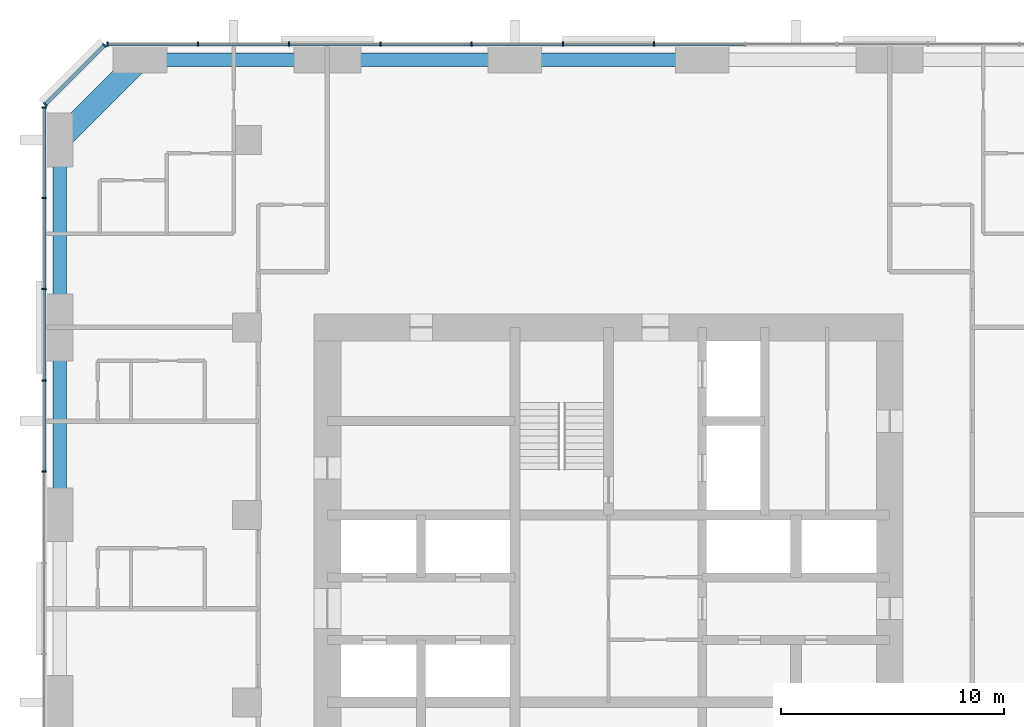
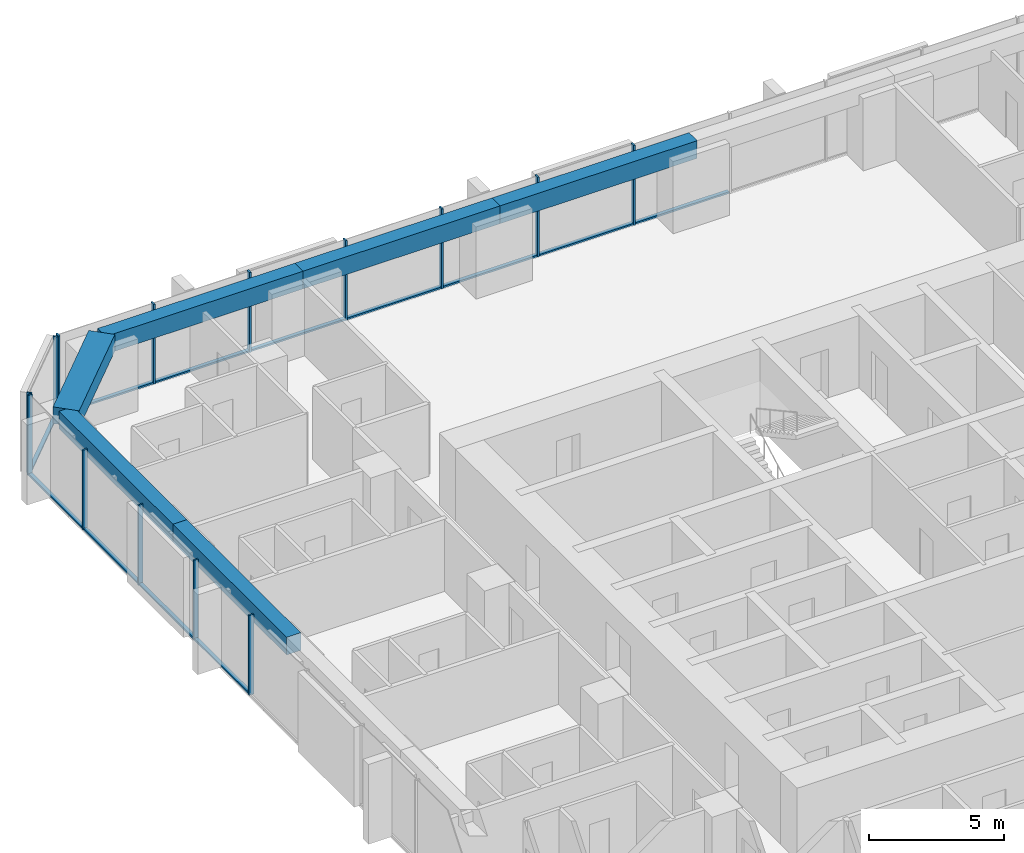
# One storey, part 5 of 14: 26 members, 6 beams, 3 elements without a shape of their own.
"""IFC4 building model written with IfcOpenShell, lengths in metres."""

from ifc_helpers import new_model, si_unit, direction, frame, origin, origin_2d, place, context, subcontext, project, spatial, rectangle, extrude, material, material_profile, profile_set, type_object, element, aggregate, save


model = new_model("IFC4")

# Units and contexts
model_context = context("Model", 3, precision=1e-05, world=origin(), true_north=direction((0.0, 1.0)))
body_context = subcontext(model_context, "Body", "Model", "MODEL_VIEW")
ifc_project = project(units=[si_unit("LENGTHUNIT", "METRE"), si_unit("AREAUNIT", "SQUARE_METRE"), si_unit("VOLUMEUNIT", "CUBIC_METRE"), si_unit("PLANEANGLEUNIT", "RADIAN"), si_unit("MASSUNIT", "GRAM", prefix="KILO")], contexts=[model_context])

# Site, building, storey
site_placement = place(None, origin())
site = spatial("IfcSite", under=ifc_project, at=site_placement, CompositionType="ELEMENT")
building_placement = place(site_placement, origin())
building = spatial("IfcBuilding", under=site, at=building_placement, Name="Dunama Terrace Hotel", CompositionType="ELEMENT")
storey_placement = place(building_placement, frame((0.0, 0.0, 213.0)))
storey = spatial("IfcBuildingStorey", under=building, at=storey_placement, Name="L55", CompositionType="ELEMENT", Elevation=213.0)

# Curtain wall, members
ifc_material_1 = material(Name="Aluminium curtain wall system", Category="aluminium")
curtain_wall_type = type_object("IfcCurtainWallType", Name="Unitised fritted glass wall CW-C", PredefinedType="NOTDEFINED", material=ifc_material_1)
curtain_wall_1_placement = place(storey_placement, origin())
curtain_wall_1 = element("IfcCurtainWall", 1, at=curtain_wall_1_placement, inside=storey, type_object=curtain_wall_type, Name="Unitised fritted glass wall CW-C L55", PredefinedType="NOTDEFINED")
ifc_material_2 = material(Name="Aluminium mullion", Category="aluminium")
ifc_material_profile_1 = material_profile(ifc_material_2, rectangle(XDim=0.070068359375, YDim=0.199951171875, at=origin_2d()), Name="CWC MULLION 70X200")
ifc_profile_set_1 = profile_set([ifc_material_profile_1], Name="Aluminium mullion")
member_type_1 = type_object("IfcMemberType", Name="CWC mullion 70x200", PredefinedType="MULLION", material=ifc_profile_set_1)
member_1_placement = place(storey_placement, frame((31.445068359375, 54.699951171875, 0.0), z_axis=(0.0, 0.0, 1.0), x_axis=(-1.0, 0.0, 0.0)))
member_1 = element("IfcMember", 2, at=member_1_placement, type_object=member_type_1, Name="CWC mullion", PredefinedType="MULLION", context=body_context, shape_type="SweptSolid", body=[
    extrude(rectangle(XDim=0.070068359375, YDim=0.199951171875, at=origin_2d()), origin(), (0.0, 0.0, 1.0), 3.60009765625),
])
member_2_placement = place(storey_placement, frame((27.35498046875, 54.699951171875, 0.0), z_axis=(0.0, 0.0, 1.0), x_axis=(-1.0, 0.0, 0.0)))
member_2 = element("IfcMember", 3, at=member_2_placement, type_object=member_type_1, Name="CWC mullion", PredefinedType="MULLION", context=body_context, shape_type="SweptSolid", body=[
    extrude(rectangle(XDim=0.070068359375, YDim=0.199951171875, at=origin_2d()), origin(), (0.0, 0.0, 1.0), 3.60009765625),
])
member_3_placement = place(storey_placement, frame((23.263916015625, 54.699951171875, 0.0), z_axis=(0.0, 0.0, 1.0), x_axis=(-1.0, 0.0, 0.0)))
member_3 = element("IfcMember", 4, at=member_3_placement, type_object=member_type_1, Name="CWC mullion", PredefinedType="MULLION", context=body_context, shape_type="SweptSolid", body=[
    extrude(rectangle(XDim=0.070068359375, YDim=0.199951171875, at=origin_2d()), origin(), (0.0, 0.0, 1.0), 3.60009765625),
])
member_4_placement = place(storey_placement, frame((19.173095703125, 54.699951171875, 0.0), z_axis=(0.0, 0.0, 1.0), x_axis=(-1.0, 0.0, 0.0)))
member_4 = element("IfcMember", 5, at=member_4_placement, type_object=member_type_1, Name="CWC mullion", PredefinedType="MULLION", context=body_context, shape_type="SweptSolid", body=[
    extrude(rectangle(XDim=0.070068359375, YDim=0.199951171875, at=origin_2d()), origin(), (0.0, 0.0, 1.0), 3.60009765625),
])
member_5_placement = place(storey_placement, frame((15.08203125, 54.699951171875, 0.0), z_axis=(0.0, 0.0, 1.0), x_axis=(-1.0, 0.0, 0.0)))
member_5 = element("IfcMember", 6, at=member_5_placement, type_object=member_type_1, Name="CWC mullion", PredefinedType="MULLION", context=body_context, shape_type="SweptSolid", body=[
    extrude(rectangle(XDim=0.070068359375, YDim=0.199951171875, at=origin_2d()), origin(), (0.0, 0.0, 1.0), 3.60009765625),
])
member_6_placement = place(storey_placement, frame((10.990966796875, 54.699951171875, 0.0), z_axis=(0.0, 0.0, 1.0), x_axis=(-1.0, 0.0, 0.0)))
member_6 = element("IfcMember", 7, at=member_6_placement, type_object=member_type_1, Name="CWC mullion", PredefinedType="MULLION", context=body_context, shape_type="SweptSolid", body=[
    extrude(rectangle(XDim=0.070068359375, YDim=0.199951171875, at=origin_2d()), origin(), (0.0, 0.0, 1.0), 3.60009765625),
])
member_7_placement = place(storey_placement, frame((6.93505859375, 54.699951171875, 0.0), z_axis=(0.0, 0.0, 1.0), x_axis=(-1.0, 0.0, 0.0)))
member_7 = element("IfcMember", 8, at=member_7_placement, type_object=member_type_1, Name="CWC mullion", PredefinedType="MULLION", context=body_context, shape_type="SweptSolid", body=[
    extrude(rectangle(XDim=0.070068359375, YDim=0.199951171875, at=origin_2d()), origin(), (0.0, 0.0, 1.0), 3.60009765625),
])

curtain_wall_2_placement = place(storey_placement, origin())
curtain_wall_2 = element("IfcCurtainWall", 9, at=curtain_wall_2_placement, inside=storey, type_object=curtain_wall_type, Name="Unitised fritted glass wall CW-C L55", PredefinedType="NOTDEFINED")
member_8_placement = place(storey_placement, frame((6.804931640625, 54.64599609375, 0.0), z_axis=(0.0, 0.0, 1.0), x_axis=(-0.707106781187, -0.707106781187, 0.0)))
member_8 = element("IfcMember", 10, at=member_8_placement, type_object=member_type_1, Name="CWC mullion", PredefinedType="MULLION", context=body_context, shape_type="SweptSolid", body=[
    extrude(rectangle(XDim=0.070068359375, YDim=0.199951171875, at=origin_2d()), origin(), (0.0, 0.0, 1.0), 3.60009765625),
])
member_9_placement = place(storey_placement, frame((4.154052734375, 51.9951171875, 0.0), z_axis=(0.0, 0.0, 1.0), x_axis=(-0.707106781187, -0.707106781187, 0.0)))
member_9 = element("IfcMember", 11, at=member_9_placement, type_object=member_type_1, Name="CWC mullion", PredefinedType="MULLION", context=body_context, shape_type="SweptSolid", body=[
    extrude(rectangle(XDim=0.070068359375, YDim=0.199951171875, at=origin_2d()), origin(), (0.0, 0.0, 1.0), 3.60009765625),
])

curtain_wall_3_placement = place(storey_placement, origin())
curtain_wall_3 = element("IfcCurtainWall", 12, at=curtain_wall_3_placement, inside=storey, type_object=curtain_wall_type, Name="Unitised fritted glass wall CW-C L55", PredefinedType="NOTDEFINED")
member_10_placement = place(storey_placement, frame((4.10009765625, 51.864990234375, 0.0), z_axis=(0.0, 0.0, 1.0), x_axis=(0.0, -1.0, 0.0)))
member_10 = element("IfcMember", 13, at=member_10_placement, type_object=member_type_1, Name="CWC mullion", PredefinedType="MULLION", context=body_context, shape_type="SweptSolid", body=[
    extrude(rectangle(XDim=0.070068359375, YDim=0.199951171875, at=origin_2d()), origin(), (0.0, 0.0, 1.0), 3.60009765625),
])
member_11_placement = place(storey_placement, frame((4.10009765625, 47.80908203125, 0.0), z_axis=(0.0, 0.0, 1.0), x_axis=(0.0, -1.0, 0.0)))
member_11 = element("IfcMember", 14, at=member_11_placement, type_object=member_type_1, Name="CWC mullion", PredefinedType="MULLION", context=body_context, shape_type="SweptSolid", body=[
    extrude(rectangle(XDim=0.070068359375, YDim=0.199951171875, at=origin_2d()), origin(), (0.0, 0.0, 1.0), 3.60009765625),
])
member_12_placement = place(storey_placement, frame((4.10009765625, 43.718017578125, 0.0), z_axis=(0.0, 0.0, 1.0), x_axis=(0.0, -1.0, 0.0)))
member_12 = element("IfcMember", 15, at=member_12_placement, type_object=member_type_1, Name="CWC mullion", PredefinedType="MULLION", context=body_context, shape_type="SweptSolid", body=[
    extrude(rectangle(XDim=0.070068359375, YDim=0.199951171875, at=origin_2d()), origin(), (0.0, 0.0, 1.0), 3.60009765625),
])
member_13_placement = place(storey_placement, frame((4.10009765625, 39.626953125, 0.0), z_axis=(0.0, 0.0, 1.0), x_axis=(0.0, -1.0, 0.0)))
member_13 = element("IfcMember", 16, at=member_13_placement, type_object=member_type_1, Name="CWC mullion", PredefinedType="MULLION", context=body_context, shape_type="SweptSolid", body=[
    extrude(rectangle(XDim=0.070068359375, YDim=0.199951171875, at=origin_2d()), origin(), (0.0, 0.0, 1.0), 3.60009765625),
])
member_14_placement = place(storey_placement, frame((4.10009765625, 35.535888671875, 0.0), z_axis=(0.0, 0.0, 1.0), x_axis=(0.0, -1.0, 0.0)))
member_14 = element("IfcMember", 17, at=member_14_placement, type_object=member_type_1, Name="CWC mullion", PredefinedType="MULLION", context=body_context, shape_type="SweptSolid", body=[
    extrude(rectangle(XDim=0.070068359375, YDim=0.199951171875, at=origin_2d()), origin(), (0.0, 0.0, 1.0), 3.60009765625),
])

# Member
ifc_material_3 = material(Name="Aluminium transom", Category="aluminium")
ifc_material_profile_2 = material_profile(ifc_material_3, rectangle(XDim=0.159912109375, YDim=0.080078125, at=origin_2d()), Name="CWC TRANSOM 160X80")
ifc_profile_set_2 = profile_set([ifc_material_profile_2], Name="Aluminium transom")
member_type_2 = type_object("IfcMemberType", Name="CWC transom 160x80", PredefinedType="USERDEFINED", material=ifc_profile_set_2)
member_15_placement = place(storey_placement, frame((35.5009765625, 54.699951171875, 0.0400390625), z_axis=(-1.0, 0.0, 0.0), x_axis=(0.0, -1.0, 0.0)))
member_15 = element("IfcMember", 18, at=member_15_placement, type_object=member_type_2, Name="CWC transom", ObjectType="TRANSOM", PredefinedType="USERDEFINED", context=body_context, shape_type="SweptSolid", body=[
    extrude(rectangle(XDim=0.159912109375, YDim=0.080078125, at=origin_2d()), origin(), (0.0, 0.0, 1.0), 4.02099609375),
])

member_16_placement = place(storey_placement, frame((31.409912109375, 54.699951171875, 0.0400390625), z_axis=(-1.0, 0.0, 0.0), x_axis=(0.0, -1.0, 0.0)))
member_16 = element("IfcMember", 19, at=member_16_placement, type_object=member_type_2, Name="CWC transom", ObjectType="TRANSOM", PredefinedType="USERDEFINED", context=body_context, shape_type="SweptSolid", body=[
    extrude(rectangle(XDim=0.159912109375, YDim=0.080078125, at=origin_2d()), origin(), (0.0, 0.0, 1.0), 4.02001953125),
])

member_17_placement = place(storey_placement, frame((27.320068359375, 54.699951171875, 0.0400390625), z_axis=(-1.0, 0.0, 0.0), x_axis=(0.0, -1.0, 0.0)))
member_17 = element("IfcMember", 20, at=member_17_placement, type_object=member_type_2, Name="CWC transom", ObjectType="TRANSOM", PredefinedType="USERDEFINED", context=body_context, shape_type="SweptSolid", body=[
    extrude(rectangle(XDim=0.159912109375, YDim=0.080078125, at=origin_2d()), origin(), (0.0, 0.0, 1.0), 4.02099609375),
])

member_18_placement = place(storey_placement, frame((23.22900390625, 54.699951171875, 0.0400390625), z_axis=(-1.0, 0.0, 0.0), x_axis=(0.0, -1.0, 0.0)))
member_18 = element("IfcMember", 21, at=member_18_placement, type_object=member_type_2, Name="CWC transom", ObjectType="TRANSOM", PredefinedType="USERDEFINED", context=body_context, shape_type="SweptSolid", body=[
    extrude(rectangle(XDim=0.159912109375, YDim=0.080078125, at=origin_2d()), origin(), (0.0, 0.0, 1.0), 4.02099609375),
])

member_19_placement = place(storey_placement, frame((19.137939453125, 54.699951171875, 0.0400390625), z_axis=(-1.0, 0.0, 0.0), x_axis=(0.0, -1.0, 0.0)))
member_19 = element("IfcMember", 22, at=member_19_placement, type_object=member_type_2, Name="CWC transom", ObjectType="TRANSOM", PredefinedType="USERDEFINED", context=body_context, shape_type="SweptSolid", body=[
    extrude(rectangle(XDim=0.159912109375, YDim=0.080078125, at=origin_2d()), origin(), (0.0, 0.0, 1.0), 4.02099609375),
])

member_20_placement = place(storey_placement, frame((15.047119140625, 54.699951171875, 0.0400390625), z_axis=(-1.0, 0.0, 0.0), x_axis=(0.0, -1.0, 0.0)))
member_20 = element("IfcMember", 23, at=member_20_placement, type_object=member_type_2, Name="CWC transom", ObjectType="TRANSOM", PredefinedType="USERDEFINED", context=body_context, shape_type="SweptSolid", body=[
    extrude(rectangle(XDim=0.159912109375, YDim=0.080078125, at=origin_2d()), origin(), (0.0, 0.0, 1.0), 4.021240234375),
])

member_21_placement = place(storey_placement, frame((10.9560546875, 54.699951171875, 0.0400390625), z_axis=(-1.0, 0.0, 0.0), x_axis=(0.0, -1.0, 0.0)))
member_21 = element("IfcMember", 24, at=member_21_placement, type_object=member_type_2, Name="CWC transom", ObjectType="TRANSOM", PredefinedType="USERDEFINED", context=body_context, shape_type="SweptSolid", body=[
    extrude(rectangle(XDim=0.159912109375, YDim=0.080078125, at=origin_2d()), origin(), (0.0, 0.0, 1.0), 3.986083984375),
])

aggregate(curtain_wall_1, [member_1, member_2, member_3, member_4, member_5, member_6, member_7, member_15, member_16, member_17, member_18, member_19, member_20, member_21])

member_22_placement = place(storey_placement, frame((6.780029296875, 54.62109375, 0.0400390625), z_axis=(-0.707106781187, -0.707106781187, 0.0), x_axis=(0.707106781187, -0.707106781187, 0.0)))
member_22 = element("IfcMember", 25, at=member_22_placement, type_object=member_type_2, Name="CWC transom", ObjectType="TRANSOM", PredefinedType="USERDEFINED", context=body_context, shape_type="SweptSolid", body=[
    extrude(rectangle(XDim=0.159912109375, YDim=0.080078125, at=origin_2d()), origin(), (0.0, 0.0, 1.0), 3.678466796875),
])

aggregate(curtain_wall_2, [member_8, member_9, member_22])

member_23_placement = place(storey_placement, frame((4.10009765625, 51.830078125, 0.0400390625), z_axis=(0.0, -1.0, 0.0), x_axis=(1.0, 0.0, 0.0)))
member_23 = element("IfcMember", 26, at=member_23_placement, type_object=member_type_2, Name="CWC transom", ObjectType="TRANSOM", PredefinedType="USERDEFINED", context=body_context, shape_type="SweptSolid", body=[
    extrude(rectangle(XDim=0.159912109375, YDim=0.080078125, at=origin_2d()), origin(), (0.0, 0.0, 1.0), 3.986083984375),
])

member_24_placement = place(storey_placement, frame((4.10009765625, 47.77392578125, 0.0400390625), z_axis=(0.0, -1.0, 0.0), x_axis=(1.0, 0.0, 0.0)))
member_24 = element("IfcMember", 27, at=member_24_placement, type_object=member_type_2, Name="CWC transom", ObjectType="TRANSOM", PredefinedType="USERDEFINED", context=body_context, shape_type="SweptSolid", body=[
    extrude(rectangle(XDim=0.159912109375, YDim=0.080078125, at=origin_2d()), origin(), (0.0, 0.0, 1.0), 4.02099609375),
])

member_25_placement = place(storey_placement, frame((4.10009765625, 43.68310546875, 0.0400390625), z_axis=(0.0, -1.0, 0.0), x_axis=(1.0, 0.0, 0.0)))
member_25 = element("IfcMember", 28, at=member_25_placement, type_object=member_type_2, Name="CWC transom", ObjectType="TRANSOM", PredefinedType="USERDEFINED", context=body_context, shape_type="SweptSolid", body=[
    extrude(rectangle(XDim=0.159912109375, YDim=0.080078125, at=origin_2d()), origin(), (0.0, 0.0, 1.0), 4.02099609375),
])

member_26_placement = place(storey_placement, frame((4.10009765625, 39.592041015625, 0.0400390625), z_axis=(0.0, -1.0, 0.0), x_axis=(1.0, 0.0, 0.0)))
member_26 = element("IfcMember", 29, at=member_26_placement, type_object=member_type_2, Name="CWC transom", ObjectType="TRANSOM", PredefinedType="USERDEFINED", context=body_context, shape_type="SweptSolid", body=[
    extrude(rectangle(XDim=0.159912109375, YDim=0.080078125, at=origin_2d()), origin(), (0.0, 0.0, 1.0), 4.02099609375),
])

aggregate(curtain_wall_3, [member_10, member_11, member_12, member_13, member_14, member_23, member_24, member_25, member_26])

# Beams
ifc_material_4 = material(Name="Concrete C50/60", Category="concrete")
ifc_material_profile_3 = material_profile(ifc_material_4, rectangle(XDim=1.0, YDim=0.75, at=origin_2d()), Name="RC 1000x750")
ifc_profile_set_3 = profile_set([ifc_material_profile_3], Name="Concrete C50/60")
beam_type_1 = type_object("IfcBeamType", Name="Edge beam RC 1000x750", PredefinedType="SPANDREL", material=ifc_profile_set_3)
beam_1_placement = place(storey_placement, frame((8.39990234375, 54.0, 3.22509765625), z_axis=(-0.707082803744, -0.707130757816, 0.0), x_axis=(0.707130757816, -0.707082803744, 0.0)))
element("IfcBeam", 30, at=beam_1_placement, inside=storey, type_object=beam_type_1, Name="Corner edge beam under L56", PredefinedType="SPANDREL", context=body_context, shape_type="SweptSolid", body=[
    extrude(rectangle(XDim=1.0, YDim=0.75, at=origin_2d()), origin(), (0.0, 0.0, 1.0), 5.091064453125),
])
ifc_material_5 = material(Name="Concrete C40/50", Category="concrete")
ifc_material_profile_4 = material_profile(ifc_material_5, rectangle(XDim=0.60009765625, YDim=0.800048828125, at=origin_2d()), Name="RC 600x800")
ifc_profile_set_4 = profile_set([ifc_material_profile_4], Name="Concrete C40/50")
beam_type_2 = type_object("IfcBeamType", Name="Edge beam RC 600x800", PredefinedType="SPANDREL", material=ifc_profile_set_4)
for number, where, z_axis, x_axis, name in (
    (31, (4.800048828125, 33.60009765625, 3.199951171875), (0.0, 1.0, 0.0), (-1.0, 0.0, 0.0), "Edge beam under L56"),
    (32, (4.800048828125, 42.0, 3.199951171875), (0.0, 1.0, 0.0), (-1.0, 0.0, 0.0), "Edge beam under L56"),
):
    element("IfcBeam", number, at=place(storey_placement, frame(where, z_axis=z_axis, x_axis=x_axis)), inside=storey, type_object=beam_type_2, Name=name, PredefinedType="SPANDREL", context=body_context, shape_type="SweptSolid", body=[
        extrude(rectangle(XDim=0.60009765625, YDim=0.800048828125, at=origin_2d()), origin(), (0.0, 0.0, 1.0), 8.39990234375),
    ])
beam_2_placement = place(storey_placement, frame((8.39990234375, 54.0, 3.199951171875), z_axis=(1.0, 0.0, 0.0), x_axis=(0.0, 1.0, 0.0)))
element("IfcBeam", 33, at=beam_2_placement, inside=storey, type_object=beam_type_2, Name="Edge beam under L56", PredefinedType="SPANDREL", context=body_context, shape_type="SweptSolid", body=[
    extrude(rectangle(XDim=0.60009765625, YDim=0.800048828125, at=origin_2d()), origin(), (0.0, 0.0, 1.0), 8.400146484375),
])
beam_3_placement = place(storey_placement, frame((16.800048828125, 54.0, 3.199951171875), z_axis=(1.0, 0.0, 0.0), x_axis=(0.0, 1.0, 0.0)))
element("IfcBeam", 34, at=beam_3_placement, inside=storey, type_object=beam_type_2, Name="Edge beam under L56", PredefinedType="SPANDREL", context=body_context, shape_type="SweptSolid", body=[
    extrude(rectangle(XDim=0.60009765625, YDim=0.800048828125, at=origin_2d()), origin(), (0.0, 0.0, 1.0), 8.39990234375),
])
beam_4_placement = place(storey_placement, frame((25.199951171875, 54.0, 3.199951171875), z_axis=(1.0, 0.0, 0.0), x_axis=(0.0, 1.0, 0.0)))
element("IfcBeam", 35, at=beam_4_placement, inside=storey, type_object=beam_type_2, Name="Edge beam under L56", PredefinedType="SPANDREL", context=body_context, shape_type="SweptSolid", body=[
    extrude(rectangle(XDim=0.60009765625, YDim=0.800048828125, at=origin_2d()), origin(), (0.0, 0.0, 1.0), 8.400146484375),
])

save(model, "model.ifc")
